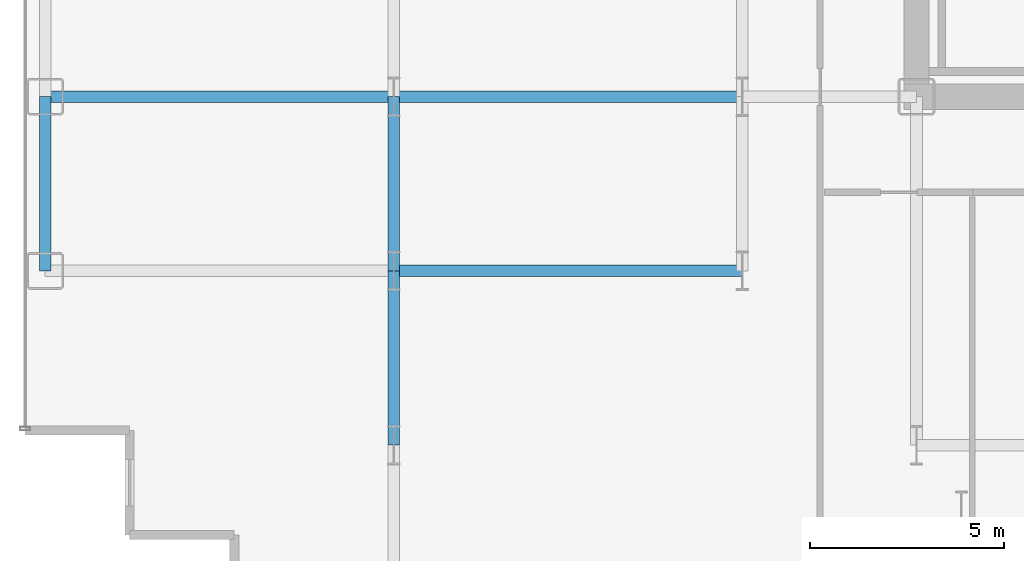
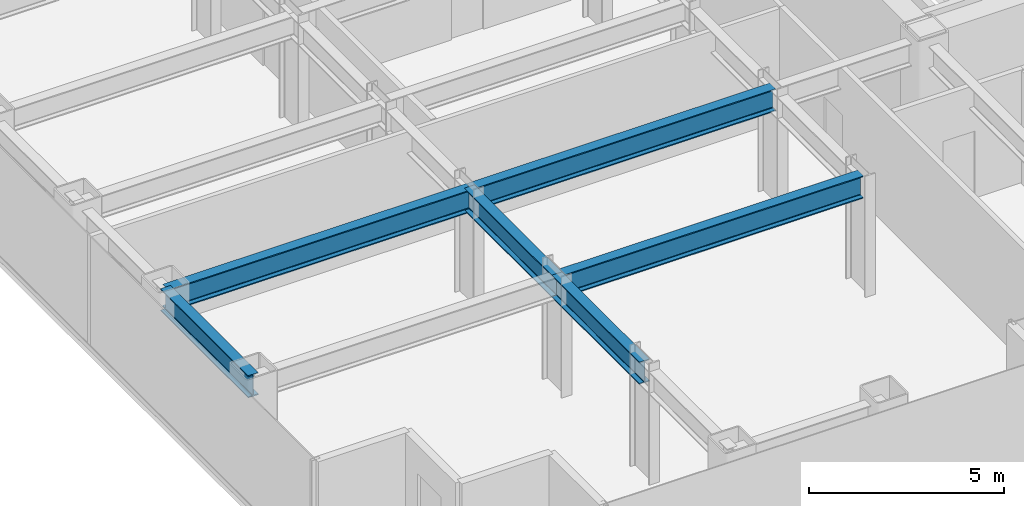
# One storey, part 3 of 26: 6 beams.
"""IFC4 building model written with IfcOpenShell, lengths in metres."""

import ifcopenshell
import ifcopenshell.guid

model = None  # the IFC model being written
_history = None  # IfcOwnerHistory: only IFC2X3 demands one
_inside = {}  # id of a spatial element -> (the spatial element, [elements in it])
_under = {}  # id of a project, library or spatial element -> (it, [spatial elements below it])
_declared = {}  # id of a project -> (the project, [libraries it declares])
_typed = {}  # id of a type object -> (the type object, [elements of that type])
_made_of = {}  # id of a material, layer set ... -> (it, [elements and type objects made of it])


def new_model(schema):
    """Start an empty IFC model of exactly this schema.

    Asked for "IFC4X3", IfcOpenShell would pick the latest addendum, in which some entities
    have other attributes; the version numbers below select the first issue.
    IFC2X3 requires an IfcOwnerHistory on every rooted entity: one is made here for all.
    """
    global model, _history
    if schema == "IFC4X3":
        model = ifcopenshell.file(schema_version=(4, 3, 0, 0))
    else:
        model = ifcopenshell.file(schema=schema)
    _inside.clear()
    _under.clear()
    _declared.clear()
    _typed.clear()
    _made_of.clear()
    _history = None
    if model.schema == "IFC2X3":
        org = make("IfcOrganization", Name="unknown")
        user = make(
            "IfcPersonAndOrganization",
            ThePerson=make("IfcPerson", FamilyName="unknown"),
            TheOrganization=org,
        )
        app = make(
            "IfcApplication",
            ApplicationDeveloper=org,
            Version="unknown",
            ApplicationFullName="unknown",
            ApplicationIdentifier="unknown",
        )
        _history = make(
            "IfcOwnerHistory",
            OwningUser=user,
            OwningApplication=app,
            ChangeAction="ADDED",
            CreationDate=0,
        )
    return model


def make(cls, **values):
    """One entity of the class cls with the attributes given. An attribute that is None is left unset."""
    return model.create_entity(
        cls, **{name: value for name, value in values.items() if value is not None}
    )


def rooted(cls, **values):
    """An entity with a GlobalId (a new one), such as an element, a storey or a relation."""
    return make(cls, GlobalId=ifcopenshell.guid.new(), OwnerHistory=_history, **values)


def si_unit(unit_type, name, prefix=None):
    """IfcSIUnit, for example si_unit("LENGTHUNIT", "METRE", prefix="MILLI")."""
    return make("IfcSIUnit", UnitType=unit_type, Prefix=prefix, Name=name)


def assignment(units):
    """IfcUnitAssignment: the units of a project."""
    return None if units is None else make("IfcUnitAssignment", Units=units)


def point(xyz):
    """IfcCartesianPoint."""
    return None if xyz is None else make("IfcCartesianPoint", Coordinates=xyz)


def direction(xyz):
    """IfcDirection."""
    return None if xyz is None else make("IfcDirection", DirectionRatios=xyz)


def frame(location, z_axis=None, x_axis=None):
    """IfcAxis2Placement3D, a coordinate frame: its origin and axes. An axis left out is left unset."""
    return make(
        "IfcAxis2Placement3D",
        Location=point(location),
        Axis=direction(z_axis),
        RefDirection=direction(x_axis),
    )


def frame_2d(location, x_axis=None):
    """IfcAxis2Placement2D, a coordinate frame in the plane: its origin and x axis."""
    return make(
        "IfcAxis2Placement2D", Location=point(location), RefDirection=direction(x_axis)
    )


def origin():
    """The frame at (0, 0, 0) with its axes left unset."""
    return frame((0.0, 0.0, 0.0))


def origin_2d():
    """The frame at (0, 0) in the plane with its x axis left unset."""
    return frame_2d((0.0, 0.0))


def place(relative_to, where):
    """IfcLocalPlacement: puts the frame where relative to a parent placement (None: the world)."""
    return make(
        "IfcLocalPlacement", PlacementRelTo=relative_to, RelativePlacement=where
    )


def context(
    kind, dimensions, precision=None, world=None, true_north=None, identifier=None
):
    """IfcGeometricRepresentationContext, for example the 3D "Model" context."""
    return make(
        "IfcGeometricRepresentationContext",
        ContextIdentifier=identifier,
        ContextType=kind,
        CoordinateSpaceDimension=dimensions,
        Precision=precision,
        WorldCoordinateSystem=world,
        TrueNorth=true_north,
    )


def subcontext(parent, identifier, kind, view, scale=None):
    """IfcGeometricRepresentationSubContext, for example "Body" below "Model"."""
    return make(
        "IfcGeometricRepresentationSubContext",
        ContextIdentifier=identifier,
        ContextType=kind,
        ParentContext=parent,
        TargetScale=scale,
        TargetView=view,
    )


def project(units=None, contexts=None):
    """IfcProject with its units and contexts."""
    return rooted(
        "IfcProject",
        Name="project",
        RepresentationContexts=contexts,
        UnitsInContext=assignment(units),
    )


def spatial(cls, under=None, at=None, **own):
    """A site, building, storey or space (cls), placed at a placement, below another one or the project."""
    s = rooted(cls, ObjectPlacement=at, **own)
    if under is not None:
        _under.setdefault(under.id(), (under, []))[1].append(s)
    return s


def profile(cls, at=None, kind="AREA", **sizes):
    """A parametric profile (cls). Its sizes go by their IFC names, for example OverallWidth=200.0."""
    return make(cls, ProfileType=kind, Position=at, **sizes)


def i_section(**sizes):
    """IfcIShapeProfileDef."""
    return profile("IfcIShapeProfileDef", **sizes)


def extrude(swept, where, along, depth):
    """IfcExtrudedAreaSolid: the profile swept, set in the frame where, extruded along a direction by depth."""
    return make(
        "IfcExtrudedAreaSolid",
        SweptArea=swept,
        Position=where,
        ExtrudedDirection=direction(along),
        Depth=depth,
    )


def shape(context_of_items, identifier, shape_type, items):
    """IfcShapeRepresentation: the items that make up one representation, for example the "Body"."""
    return make(
        "IfcShapeRepresentation",
        ContextOfItems=context_of_items,
        RepresentationIdentifier=identifier,
        RepresentationType=shape_type,
        Items=items,
    )


def source(mapping_origin, context_of_items, identifier, shape_type, items):
    """IfcRepresentationMap: a shape defined once, which mapped items show again and again."""
    return make(
        "IfcRepresentationMap",
        MappingOrigin=mapping_origin,
        MappedRepresentation=shape(context_of_items, identifier, shape_type, items),
    )


def transform(
    local_origin,
    x_axis=None,
    y_axis=None,
    z_axis=None,
    scale=None,
    scale2=None,
    scale3=None,
    uniform=True,
):
    """IfcCartesianTransformationOperator3D, or its non-uniform kind. x_axis, y_axis, z_axis: its Axis1, 2, 3."""
    if uniform:
        return make(
            "IfcCartesianTransformationOperator3D",
            Axis1=direction(x_axis),
            Axis2=direction(y_axis),
            LocalOrigin=point(local_origin),
            Scale=scale,
            Axis3=direction(z_axis),
        )
    return make(
        "IfcCartesianTransformationOperator3DnonUniform",
        Axis1=direction(x_axis),
        Axis2=direction(y_axis),
        LocalOrigin=point(local_origin),
        Scale=scale,
        Axis3=direction(z_axis),
        Scale2=scale2,
        Scale3=scale3,
    )


def mapped(mapping_source, mapping_target):
    """IfcMappedItem: shows the shape of a source again, moved by a transform."""
    return make(
        "IfcMappedItem", MappingSource=mapping_source, MappingTarget=mapping_target
    )


def material(Name=None, Category=None):
    """IfcMaterial."""
    return make("IfcMaterial", Name=Name, Category=Category)


def material_profile(
    of_material, cross_section, Name=None, Category=None, Priority=None
):
    """IfcMaterialProfile: a cross section and its material."""
    return make(
        "IfcMaterialProfile",
        Name=Name,
        Material=of_material,
        Profile=cross_section,
        Priority=Priority,
        Category=Category,
    )


def profile_set(profiles, Name=None, composite=None):
    """IfcMaterialProfileSet."""
    return make(
        "IfcMaterialProfileSet",
        Name=Name,
        MaterialProfiles=profiles,
        CompositeProfile=composite,
    )


def made_of(thing, what):
    """Note that an element or type object is made of a material, layer set ...; save() writes the relation."""
    if what is not None:
        _made_of.setdefault(what.id(), (what, []))[1].append(thing)
    return thing


def type_object(cls, material=None, **own):
    """A type object (cls), such as IfcWallType, which elements share."""
    return made_of(rooted(cls, **own), material)


def element(
    cls,
    number,
    at=None,
    inside=None,
    cuts=None,
    type_object=None,
    material=None,
    context=None,
    identifier="Body",
    shape_type=None,
    held_by="IfcProductDefinitionShape",
    body=None,
    shapes=None,
    **own,
):
    """One element of the class cls, such as IfcWall. Its Tag is "e" and its number.

    at: its placement. inside: the storey or other place that contains it. cuts: it is an
    opening in that element (IfcRelVoidsElement). A single representation is given by context,
    identifier, shape_type and body (its items); several are given by shapes. held_by: the class
    of the entity that holds the representations. save() writes the other relations.
    """
    e = rooted(cls, Tag="e%d" % number, ObjectPlacement=at, **own)
    if body is not None:
        shapes = [shape(context, identifier, shape_type, body)]
    if shapes is not None:
        e.Representation = make(held_by, Representations=shapes)
    if inside is not None:
        _inside.setdefault(inside.id(), (inside, []))[1].append(e)
    if cuts is not None:
        rooted(
            "IfcRelVoidsElement", RelatingBuildingElement=cuts, RelatedOpeningElement=e
        )
    if type_object is not None:
        _typed.setdefault(type_object.id(), (type_object, []))[1].append(e)
    return made_of(e, material)


def aggregate(whole, parts):
    """IfcRelAggregates: a whole, such as a stair, and the parts it consists of."""
    return rooted("IfcRelAggregates", RelatingObject=whole, RelatedObjects=parts)


def save(model, path):
    """Write the relations noted so far, then the file.

    IfcRelAggregates (storeys below a building ...), IfcRelContainedInSpatialStructure (elements
    in a storey), IfcRelDefinesByType, IfcRelAssociatesMaterial and IfcRelDeclares: one each for
    every whole, place, type object, material and project.
    """
    for whole, parts in _under.values():
        aggregate(whole, parts)
    for where, things in _inside.values():
        rooted(
            "IfcRelContainedInSpatialStructure",
            RelatedElements=things,
            RelatingStructure=where,
        )
    for kind, things in _typed.values():
        rooted("IfcRelDefinesByType", RelatedObjects=things, RelatingType=kind)
    for what, things in _made_of.values():
        rooted("IfcRelAssociatesMaterial", RelatedObjects=things, RelatingMaterial=what)
    for by, libraries in _declared.values():
        rooted("IfcRelDeclares", RelatingContext=by, RelatedDefinitions=libraries)
    model.write(path)


model = new_model("IFC4")

# Units and contexts
model_context = context("Model", 3, precision=1e-05, world=origin(), true_north=direction((0.0, 1.0)))
body_context = subcontext(model_context, "Body", "Model", "MODEL_VIEW")
ifc_project = project(units=[si_unit("LENGTHUNIT", "METRE"), si_unit("AREAUNIT", "SQUARE_METRE"), si_unit("VOLUMEUNIT", "CUBIC_METRE"), si_unit("PLANEANGLEUNIT", "RADIAN"), si_unit("MASSUNIT", "GRAM", prefix="KILO")], contexts=[model_context])

# Site, building, storey
site_placement = place(None, origin())
site = spatial("IfcSite", under=ifc_project, at=site_placement, CompositionType="ELEMENT")
building_placement = place(site_placement, origin())
building = spatial("IfcBuilding", under=site, at=building_placement, Name="Nefas-Gora Pilgrimage Tower", CompositionType="ELEMENT")
storey_placement = place(building_placement, frame((0.0, 0.0, 59.60009765625)))
storey = spatial("IfcBuildingStorey", under=building, at=storey_placement, Name="L13", CompositionType="ELEMENT", Elevation=59.60009765625)

# Beams
ifc_material = material(Name="Steel S355", Category="steel")
ifc_material_profile_1 = material_profile(ifc_material, i_section(OverallWidth=0.300048828125, OverallDepth=0.699951171875, WebThickness=0.01708984375, FlangeThickness=0.031982421875, FilletRadius=0.027099609375, at=origin_2d()), Name="HEB 700")
ifc_profile_set_1 = profile_set([ifc_material_profile_1], Name="Steel S355")
beam_type_1 = type_object("IfcBeamType", Name="BM-SPN-HEB600", PredefinedType="SPANDREL", material=ifc_profile_set_1)
shared_shape_1 = source(origin(), body_context, "Body", "SweptSolid", [
    extrude(i_section(OverallWidth=0.300048828125, OverallDepth=0.699951171875, WebThickness=0.01708984375, FlangeThickness=0.031982421875, FilletRadius=0.027099609375, at=origin_2d()), origin(), (0.0, 0.0, 1.0), 4.5),
])
beam_placement = place(storey_placement, frame((-33.75, -13.5, 3.199951171875), z_axis=(0.0, 1.0, 0.0), x_axis=(-1.0, 0.0, 0.0)))
element("IfcBeam", 1, at=beam_placement, inside=storey, type_object=beam_type_1, Name="L13 SP-01 beam", PredefinedType="SPANDREL", context=body_context, shape_type="MappedRepresentation", body=[
    mapped(shared_shape_1, transform((0.0, 0.0, 0.0), x_axis=(1.0, 0.0, 0.0), y_axis=(0.0, 1.0, 0.0), z_axis=(0.0, 0.0, 1.0), scale=1.0)),
])
ifc_material_profile_2 = material_profile(ifc_material, i_section(OverallWidth=0.300048828125, OverallDepth=0.699951171875, WebThickness=0.01708984375, FlangeThickness=0.031982421875, FilletRadius=0.027099609375, at=origin_2d()), Name="HEB 700")
ifc_profile_set_2 = profile_set([ifc_material_profile_2], Name="Steel S355")
beam_type_2 = type_object("IfcBeamType", Name="BM-GIR-HEB700", PredefinedType="BEAM", material=ifc_profile_set_2)
shared_shape_2 = source(origin(), body_context, "Body", "SweptSolid", [
    extrude(i_section(OverallWidth=0.300048828125, OverallDepth=0.699951171875, WebThickness=0.01708984375, FlangeThickness=0.031982421875, FilletRadius=0.027099609375, at=origin_2d()), origin(), (0.0, 0.0, 1.0), 9.0),
])
for number, where, z_axis, x_axis, name in (
    (2, (-33.75, -9.0, 3.199951171875), (1.0, 0.0, 0.0), (0.0, 1.0, 0.0), "L13 G-02 beam"),
    (3, (-24.75, -13.5, 3.199951171875), (1.0, 0.0, 0.0), (0.0, 1.0, 0.0), "L13 G-02 beam"),
    (4, (-24.75, -9.0, 3.199951171875), (1.0, 0.0, 0.0), (0.0, 1.0, 0.0), "L13 G-02 beam"),
):
    element("IfcBeam", number, at=place(storey_placement, frame(where, z_axis=z_axis, x_axis=x_axis)), inside=storey, type_object=beam_type_2, Name=name, PredefinedType="BEAM", context=body_context, shape_type="MappedRepresentation", body=[
        mapped(shared_shape_2, transform((0.0, 0.0, 0.0), x_axis=(1.0, 0.0, 0.0), y_axis=(0.0, 1.0, 0.0), z_axis=(0.0, 0.0, 1.0), scale=1.0)),
    ])
shared_shape_3 = source(origin(), body_context, "Body", "SweptSolid", [
    extrude(i_section(OverallWidth=0.300048828125, OverallDepth=0.699951171875, WebThickness=0.01708984375, FlangeThickness=0.031982421875, FilletRadius=0.027099609375, at=origin_2d()), origin(), (0.0, 0.0, 1.0), 4.5),
])
for number, where, z_axis, x_axis, name in (
    (5, (-24.75, -18.0, 3.199951171875), (0.0, 1.0, 0.0), (-1.0, 0.0, 0.0), "L13 G-02 beam"),
    (6, (-24.75, -13.5, 3.199951171875), (0.0, 1.0, 0.0), (-1.0, 0.0, 0.0), "L13 G-02 beam"),
):
    element("IfcBeam", number, at=place(storey_placement, frame(where, z_axis=z_axis, x_axis=x_axis)), inside=storey, type_object=beam_type_2, Name=name, PredefinedType="BEAM", context=body_context, shape_type="MappedRepresentation", body=[
        mapped(shared_shape_3, transform((0.0, 0.0, 0.0), x_axis=(1.0, 0.0, 0.0), y_axis=(0.0, 1.0, 0.0), z_axis=(0.0, 0.0, 1.0), scale=1.0)),
    ])

save(model, "model.ifc")
